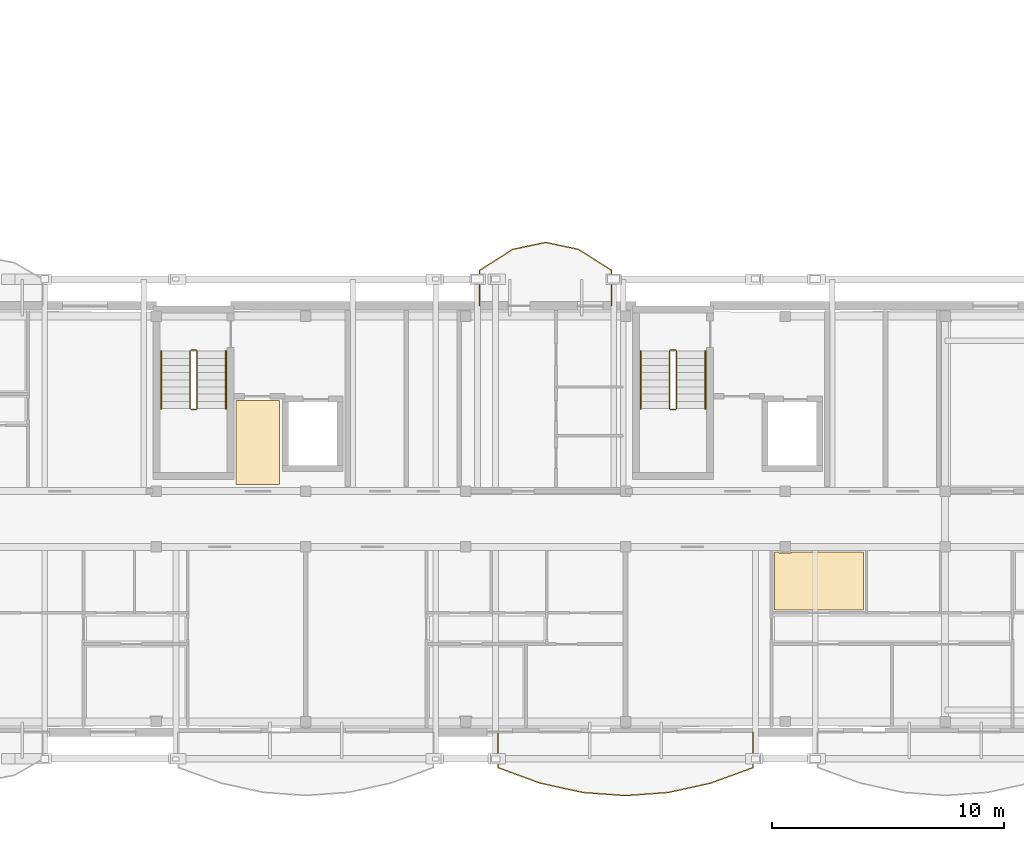
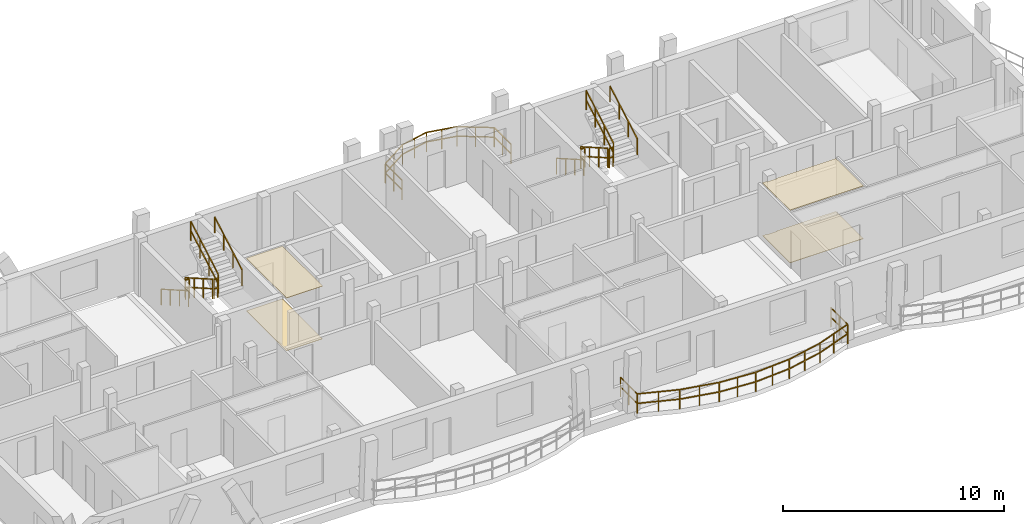
# One storey, part 47 of 52: 14 railings, 4 coverings.
"""IFC4 building model written with IfcOpenShell, lengths in metres."""

from ifc_helpers import new_model, si_unit, direction, frame, origin, origin_2d, place, context, subcontext, project, spatial, polyline, rectangle, outline, extrude, material, layer, layer_set, type_object, element, save


model = new_model("IFC4")

# Units and contexts
model_context = context("Model", 3, precision=1e-05, world=origin(), true_north=direction((0.0, 1.0)))
body_context = subcontext(model_context, "Body", "Model", "MODEL_VIEW")
ifc_project = project(units=[si_unit("LENGTHUNIT", "METRE"), si_unit("AREAUNIT", "SQUARE_METRE"), si_unit("VOLUMEUNIT", "CUBIC_METRE"), si_unit("PLANEANGLEUNIT", "RADIAN"), si_unit("MASSUNIT", "GRAM", prefix="KILO")], contexts=[model_context])

# Site, building, storey
site_placement = place(None, origin())
site = spatial("IfcSite", under=ifc_project, at=site_placement, CompositionType="ELEMENT")
building_placement = place(site_placement, origin())
building = spatial("IfcBuilding", under=site, at=building_placement, Name="Zavelmont Quarter", CompositionType="ELEMENT")
storey_placement = place(building_placement, frame((0.0, 0.0, 14.39990234375)))
storey = spatial("IfcBuildingStorey", under=building, at=storey_placement, Name="L04", CompositionType="ELEMENT", Elevation=14.39990234375)

# Coverings
ifc_material_1 = material(Name="Perforated acoustic gypsum board")
ifc_layer_1 = layer(ifc_material_1, 0.02490234375)
ifc_layer_set_1 = layer_set([ifc_layer_1], Name="Perforated acoustic gypsum board")
covering_type_1 = type_object("IfcCoveringType", Name="CV-CL01", PredefinedType="CEILING", material=ifc_layer_set_1)
covering_1_placement = place(storey_placement, frame((0.0, 0.0, 2.9150390625)))
element("IfcCovering", 1, at=covering_1_placement, inside=storey, type_object=covering_type_1, Name="L04 Lobby Vestibule acoustic ceiling", PredefinedType="CEILING", context=body_context, shape_type="SweptSolid", body=[
    extrude(outline(polyline([(130.47998046875, 14.320068359375), (132.3701171875, 14.320068359375), (132.3701171875, 10.679931640625), (130.47998046875, 10.679931640625), (130.47998046875, 14.320068359375)])), origin(), (0.0, 0.0, 1.0), 0.025146484375),
])
covering_2_placement = place(storey_placement, frame((0.0, 0.0, 2.9150390625)))
element("IfcCovering", 2, at=covering_2_placement, inside=storey, type_object=covering_type_1, Name="L04 Kitchen acoustic ceiling", PredefinedType="CEILING", context=body_context, shape_type="SweptSolid", body=[
    extrude(outline(polyline([(153.72998046875, 7.77001953125), (153.93505859375, 7.77001953125), (153.93505859375, 7.735107421875), (154.465087890625, 7.735107421875), (154.465087890625, 7.77001953125), (157.570068359375, 7.77001953125), (157.570068359375, 5.280029296875), (153.72998046875, 5.280029296875), (153.72998046875, 7.77001953125)])), origin(), (0.0, 0.0, 1.0), 0.025146484375),
])
ifc_material_2 = material(Name="Engineered European oak parquet")
ifc_layer_2 = layer(ifc_material_2, 0.02197265625)
ifc_layer_set_2 = layer_set([ifc_layer_2], Name="Engineered European oak parquet")
covering_type_2 = type_object("IfcCoveringType", Name="CV-FL01", PredefinedType="FLOORING", material=ifc_layer_set_2)
covering_3_placement = place(storey_placement, origin())
element("IfcCovering", 3, at=covering_3_placement, inside=storey, type_object=covering_type_2, Name="L04 Lobby Vestibule floor finish", PredefinedType="FLOORING", context=body_context, shape_type="SweptSolid", body=[
    extrude(outline(polyline([(130.47998046875, 14.320068359375), (132.3701171875, 14.320068359375), (132.3701171875, 10.679931640625), (130.47998046875, 10.679931640625), (130.47998046875, 14.320068359375)])), origin(), (0.0, 0.0, 1.0), 0.022216796875),
])
covering_4_placement = place(storey_placement, origin())
element("IfcCovering", 4, at=covering_4_placement, inside=storey, type_object=covering_type_2, Name="L04 Kitchen floor finish", PredefinedType="FLOORING", context=body_context, shape_type="SweptSolid", body=[
    extrude(outline(polyline([(153.72998046875, 7.77001953125), (153.93505859375, 7.77001953125), (153.93505859375, 7.735107421875), (154.465087890625, 7.735107421875), (154.465087890625, 7.77001953125), (157.570068359375, 7.77001953125), (157.570068359375, 5.280029296875), (153.72998046875, 5.280029296875), (153.72998046875, 7.77001953125)])), origin(), (0.0, 0.0, 1.0), 0.022216796875),
])

# Railings
ifc_material_3 = material(Name="Powder-coated steel and tempered double safety glass", Category="steel")
railing_type_1 = type_object("IfcRailingType", Name="RL-BAL1", PredefinedType="BALUSTRADE", material=ifc_material_3)
railing_1_placement = place(storey_placement, frame((141.791015625, -0.02001953125, 0.0)))
element("IfcRailing", 5, at=railing_1_placement, inside=storey, type_object=railing_type_1, Name="L04 Block D curved balcony guard RL-BAL1", PredefinedType="BALUSTRADE", context=body_context, shape_type="SweptSolid", body=[
    extrude(rectangle(XDim=0.048095703125, YDim=0.048095703125, at=origin_2d()), frame((0.0, 0.0, 1.076171875), z_axis=(0.0, -1.0, 0.0), x_axis=(1.0, 0.0, 0.0)), (0.0, 0.0, 1.0), 1.51708984375),
    extrude(rectangle(XDim=0.048095703125, YDim=0.048095703125, at=origin_2d()), frame((0.0, 0.0, 0.550048828125), z_axis=(0.0, -1.0, 0.0), x_axis=(1.0, 0.0, 0.0)), (0.0, 0.0, 1.0), 1.51708984375),
    extrude(rectangle(XDim=0.048095703125, YDim=0.048095703125, at=origin_2d()), frame((0.0, -1.51708984375, 1.076171875), z_axis=(0.939226985317, -0.343296766738, 0.0), x_axis=(0.343296766738, 0.939226985317, 0.0)), (0.0, 0.0, 1.0), 1.955078125),
    extrude(rectangle(XDim=0.048095703125, YDim=0.048095703125, at=origin_2d()), frame((0.0, -1.51708984375, 0.550048828125), z_axis=(0.939226985317, -0.343296766738, 0.0), x_axis=(0.343296766738, 0.939226985317, 0.0)), (0.0, 0.0, 1.0), 1.955078125),
    extrude(rectangle(XDim=0.048095703125, YDim=0.048095703125, at=origin_2d()), frame((1.836181640625, -2.188232421875, 1.076171875), z_axis=(0.976803339905, -0.214138355159, 0.0), x_axis=(0.214138355159, 0.976803339905, 0.0)), (0.0, 0.0, 1.0), 1.880126953125),
    extrude(rectangle(XDim=0.048095703125, YDim=0.048095703125, at=origin_2d()), frame((1.836181640625, -2.188232421875, 0.550048828125), z_axis=(0.976803339905, -0.214138355159, 0.0), x_axis=(0.214138355159, 0.976803339905, 0.0)), (0.0, 0.0, 1.0), 1.880126953125),
    extrude(rectangle(XDim=0.048095703125, YDim=0.048095703125, at=origin_2d()), frame((3.672607421875, -2.5908203125, 1.076171875), z_axis=(0.997337488116, -0.072924171559, 0.0), x_axis=(0.072924171559, 0.997337488116, 0.0)), (0.0, 0.0, 1.0), 1.84130859375),
    extrude(rectangle(XDim=0.048095703125, YDim=0.048095703125, at=origin_2d()), frame((3.672607421875, -2.5908203125, 0.550048828125), z_axis=(0.997337488116, -0.072924171559, 0.0), x_axis=(0.072924171559, 0.997337488116, 0.0)), (0.0, 0.0, 1.0), 1.84130859375),
    extrude(rectangle(XDim=0.048095703125, YDim=0.048095703125, at=origin_2d()), frame((5.509033203125, -2.72509765625, 1.076171875), z_axis=(0.997336782875, 0.072933816059, 0.0), x_axis=(-0.072933816059, 0.997336782875, 0.0)), (0.0, 0.0, 1.0), 1.841064453125),
    extrude(rectangle(XDim=0.048095703125, YDim=0.048095703125, at=origin_2d()), frame((5.509033203125, -2.72509765625, 0.550048828125), z_axis=(0.997336782875, 0.072933816059, 0.0), x_axis=(-0.072933816059, 0.997336782875, 0.0)), (0.0, 0.0, 1.0), 1.841064453125),
    extrude(rectangle(XDim=0.048095703125, YDim=0.048095703125, at=origin_2d()), frame((7.34521484375, -2.5908203125, 1.076171875), z_axis=(0.976803339905, 0.214138355159, 0.0), x_axis=(-0.214138355159, 0.976803339905, 0.0)), (0.0, 0.0, 1.0), 1.880126953125),
    extrude(rectangle(XDim=0.048095703125, YDim=0.048095703125, at=origin_2d()), frame((7.34521484375, -2.5908203125, 0.550048828125), z_axis=(0.976803339905, 0.214138355159, 0.0), x_axis=(-0.214138355159, 0.976803339905, 0.0)), (0.0, 0.0, 1.0), 1.880126953125),
    extrude(rectangle(XDim=0.048095703125, YDim=0.048095703125, at=origin_2d()), frame((9.181640625, -2.188232421875, 1.076171875), z_axis=(0.93924170024, 0.343256505445, 0.0), x_axis=(-0.343256505445, 0.93924170024, 0.0)), (0.0, 0.0, 1.0), 1.955322265625),
    extrude(rectangle(XDim=0.048095703125, YDim=0.048095703125, at=origin_2d()), frame((9.181640625, -2.188232421875, 0.550048828125), z_axis=(0.93924170024, 0.343256505445, 0.0), x_axis=(-0.343256505445, 0.93924170024, 0.0)), (0.0, 0.0, 1.0), 1.955322265625),
    extrude(rectangle(XDim=0.048095703125, YDim=0.048095703125, at=origin_2d()), frame((11.01806640625, -1.51708984375, 1.076171875), z_axis=(0.0, 1.0, 0.0), x_axis=(-1.0, 0.0, 0.0)), (0.0, 0.0, 1.0), 1.51708984375),
    extrude(rectangle(XDim=0.048095703125, YDim=0.048095703125, at=origin_2d()), frame((11.01806640625, -1.51708984375, 0.550048828125), z_axis=(0.0, 1.0, 0.0), x_axis=(-1.0, 0.0, 0.0)), (0.0, 0.0, 1.0), 1.51708984375),
    extrude(rectangle(XDim=0.0419921875, YDim=0.0419921875, at=origin_2d()), origin(), (0.0, 0.0, 1.0), 1.052001953125),
    extrude(rectangle(XDim=0.0419921875, YDim=0.0419921875, at=origin_2d()), frame((0.0, -0.758544921875, 0.0)), (0.0, 0.0, 1.0), 1.052001953125),
    extrude(rectangle(XDim=0.0419921875, YDim=0.0419921875, at=origin_2d()), frame((0.0, -1.51708984375, 0.0)), (0.0, 0.0, 1.0), 1.052001953125),
    extrude(rectangle(XDim=0.0419921875, YDim=0.0419921875, at=origin_2d()), frame((0.91796875, -1.8525390625, 0.0)), (0.0, 0.0, 1.0), 1.052001953125),
    extrude(rectangle(XDim=0.0419921875, YDim=0.0419921875, at=origin_2d()), frame((1.836181640625, -2.188232421875, 0.0)), (0.0, 0.0, 1.0), 1.052001953125),
    extrude(rectangle(XDim=0.0419921875, YDim=0.0419921875, at=origin_2d()), frame((2.75439453125, -2.3896484375, 0.0)), (0.0, 0.0, 1.0), 1.052001953125),
    extrude(rectangle(XDim=0.0419921875, YDim=0.0419921875, at=origin_2d()), frame((3.672607421875, -2.5908203125, 0.0)), (0.0, 0.0, 1.0), 1.052001953125),
    extrude(rectangle(XDim=0.0419921875, YDim=0.0419921875, at=origin_2d()), frame((4.5908203125, -2.657958984375, 0.0)), (0.0, 0.0, 1.0), 1.052001953125),
    extrude(rectangle(XDim=0.0419921875, YDim=0.0419921875, at=origin_2d()), frame((5.509033203125, -2.72509765625, 0.0)), (0.0, 0.0, 1.0), 1.052001953125),
    extrude(rectangle(XDim=0.0419921875, YDim=0.0419921875, at=origin_2d()), frame((6.42724609375, -2.657958984375, 0.0)), (0.0, 0.0, 1.0), 1.052001953125),
    extrude(rectangle(XDim=0.0419921875, YDim=0.0419921875, at=origin_2d()), frame((7.34521484375, -2.5908203125, 0.0)), (0.0, 0.0, 1.0), 1.052001953125),
    extrude(rectangle(XDim=0.0419921875, YDim=0.0419921875, at=origin_2d()), frame((8.263427734375, -2.3896484375, 0.0)), (0.0, 0.0, 1.0), 1.052001953125),
    extrude(rectangle(XDim=0.0419921875, YDim=0.0419921875, at=origin_2d()), frame((9.181640625, -2.188232421875, 0.0)), (0.0, 0.0, 1.0), 1.052001953125),
    extrude(rectangle(XDim=0.0419921875, YDim=0.0419921875, at=origin_2d()), frame((10.099853515625, -1.8525390625, 0.0)), (0.0, 0.0, 1.0), 1.052001953125),
    extrude(rectangle(XDim=0.0419921875, YDim=0.0419921875, at=origin_2d()), frame((11.01806640625, -1.51708984375, 0.0)), (0.0, 0.0, 1.0), 1.052001953125),
    extrude(rectangle(XDim=0.0419921875, YDim=0.0419921875, at=origin_2d()), frame((11.01806640625, -0.758544921875, 0.0)), (0.0, 0.0, 1.0), 1.052001953125),
    extrude(rectangle(XDim=0.0419921875, YDim=0.0419921875, at=origin_2d()), frame((11.01806640625, 0.0, 0.0)), (0.0, 0.0, 1.0), 1.052001953125),
])
railing_2_placement = place(storey_placement, frame((146.699951171875, 18.419921875, 0.0)))
element("IfcRailing", 6, at=railing_2_placement, inside=storey, type_object=railing_type_1, Name="L04 Block D curved balcony guard RL-BAL1", PredefinedType="BALUSTRADE", context=body_context, shape_type="SweptSolid", body=[
    extrude(rectangle(XDim=0.048095703125, YDim=0.048095703125, at=origin_2d()), frame((0.0, 0.0, 1.076171875), z_axis=(0.0, 1.0, 0.0), x_axis=(-1.0, 0.0, 0.0)), (0.0, 0.0, 1.0), 1.517333984375),
    extrude(rectangle(XDim=0.048095703125, YDim=0.048095703125, at=origin_2d()), frame((0.0, 0.0, 0.550048828125), z_axis=(0.0, 1.0, 0.0), x_axis=(-1.0, 0.0, 0.0)), (0.0, 0.0, 1.0), 1.517333984375),
    extrude(rectangle(XDim=0.048095703125, YDim=0.048095703125, at=origin_2d()), frame((0.0, 1.517333984375, 1.076171875), z_axis=(-0.843953088293, 0.536416987762, 0.0), x_axis=(-0.536416987762, -0.843953088293, 0.0)), (0.0, 0.0, 1.0), 1.6884765625),
    extrude(rectangle(XDim=0.048095703125, YDim=0.048095703125, at=origin_2d()), frame((0.0, 1.517333984375, 0.550048828125), z_axis=(-0.843953088293, 0.536416987762, 0.0), x_axis=(-0.536416987762, -0.843953088293, 0.0)), (0.0, 0.0, 1.0), 1.6884765625),
    extrude(rectangle(XDim=0.048095703125, YDim=0.048095703125, at=origin_2d()), frame((-1.425048828125, 2.423095703125, 1.076171875), z_axis=(-0.978266077354, 0.207353519138, 0.0), x_axis=(-0.207353519138, -0.978266077354, 0.0)), (0.0, 0.0, 1.0), 1.45654296875),
    extrude(rectangle(XDim=0.048095703125, YDim=0.048095703125, at=origin_2d()), frame((-1.425048828125, 2.423095703125, 0.550048828125), z_axis=(-0.978266077354, 0.207353519138, 0.0), x_axis=(-0.207353519138, -0.978266077354, 0.0)), (0.0, 0.0, 1.0), 1.45654296875),
    extrude(rectangle(XDim=0.048095703125, YDim=0.048095703125, at=origin_2d()), frame((-2.849853515625, 2.72509765625, 1.076171875), z_axis=(-0.978273282748, -0.207319522145, 0.0), x_axis=(0.207319522145, -0.978273282748, 0.0)), (0.0, 0.0, 1.0), 1.456787109375),
    extrude(rectangle(XDim=0.048095703125, YDim=0.048095703125, at=origin_2d()), frame((-2.849853515625, 2.72509765625, 0.550048828125), z_axis=(-0.978273282748, -0.207319522145, 0.0), x_axis=(0.207319522145, -0.978273282748, 0.0)), (0.0, 0.0, 1.0), 1.456787109375),
    extrude(rectangle(XDim=0.048095703125, YDim=0.048095703125, at=origin_2d()), frame((-4.27490234375, 2.423095703125, 1.076171875), z_axis=(-0.843953088293, -0.536416987762, 0.0), x_axis=(0.536416987762, -0.843953088293, 0.0)), (0.0, 0.0, 1.0), 1.6884765625),
    extrude(rectangle(XDim=0.048095703125, YDim=0.048095703125, at=origin_2d()), frame((-4.27490234375, 2.423095703125, 0.550048828125), z_axis=(-0.843953088293, -0.536416987762, 0.0), x_axis=(0.536416987762, -0.843953088293, 0.0)), (0.0, 0.0, 1.0), 1.6884765625),
    extrude(rectangle(XDim=0.048095703125, YDim=0.048095703125, at=origin_2d()), frame((-5.699951171875, 1.517333984375, 1.076171875), z_axis=(0.0, -1.0, 0.0), x_axis=(1.0, 0.0, 0.0)), (0.0, 0.0, 1.0), 1.517333984375),
    extrude(rectangle(XDim=0.048095703125, YDim=0.048095703125, at=origin_2d()), frame((-5.699951171875, 1.517333984375, 0.550048828125), z_axis=(0.0, -1.0, 0.0), x_axis=(1.0, 0.0, 0.0)), (0.0, 0.0, 1.0), 1.517333984375),
    extrude(rectangle(XDim=0.0419921875, YDim=0.0419921875, at=origin_2d()), origin(), (0.0, 0.0, 1.0), 1.052001953125),
    extrude(rectangle(XDim=0.0419921875, YDim=0.0419921875, at=origin_2d()), frame((0.0, 0.7587890625, 0.0)), (0.0, 0.0, 1.0), 1.052001953125),
    extrude(rectangle(XDim=0.0419921875, YDim=0.0419921875, at=origin_2d()), frame((0.0, 1.517333984375, 0.0)), (0.0, 0.0, 1.0), 1.052001953125),
    extrude(rectangle(XDim=0.0419921875, YDim=0.0419921875, at=origin_2d()), frame((-0.71240234375, 1.97021484375, 0.0)), (0.0, 0.0, 1.0), 1.052001953125),
    extrude(rectangle(XDim=0.0419921875, YDim=0.0419921875, at=origin_2d()), frame((-1.425048828125, 2.423095703125, 0.0)), (0.0, 0.0, 1.0), 1.052001953125),
    extrude(rectangle(XDim=0.0419921875, YDim=0.0419921875, at=origin_2d()), frame((-2.137451171875, 2.57421875, 0.0)), (0.0, 0.0, 1.0), 1.052001953125),
    extrude(rectangle(XDim=0.0419921875, YDim=0.0419921875, at=origin_2d()), frame((-2.849853515625, 2.72509765625, 0.0)), (0.0, 0.0, 1.0), 1.052001953125),
    extrude(rectangle(XDim=0.0419921875, YDim=0.0419921875, at=origin_2d()), frame((-3.5625, 2.57421875, 0.0)), (0.0, 0.0, 1.0), 1.052001953125),
    extrude(rectangle(XDim=0.0419921875, YDim=0.0419921875, at=origin_2d()), frame((-4.27490234375, 2.423095703125, 0.0)), (0.0, 0.0, 1.0), 1.052001953125),
    extrude(rectangle(XDim=0.0419921875, YDim=0.0419921875, at=origin_2d()), frame((-4.9873046875, 1.97021484375, 0.0)), (0.0, 0.0, 1.0), 1.052001953125),
    extrude(rectangle(XDim=0.0419921875, YDim=0.0419921875, at=origin_2d()), frame((-5.699951171875, 1.517333984375, 0.0)), (0.0, 0.0, 1.0), 1.052001953125),
    extrude(rectangle(XDim=0.0419921875, YDim=0.0419921875, at=origin_2d()), frame((-5.699951171875, 0.7587890625, 0.0)), (0.0, 0.0, 1.0), 1.052001953125),
    extrude(rectangle(XDim=0.0419921875, YDim=0.0419921875, at=origin_2d()), frame((-5.699951171875, 0.0, 0.0)), (0.0, 0.0, 1.0), 1.052001953125),
])
ifc_material_4 = material(Name="Powder-coated steel stair guardrail", Category="steel")
railing_type_2 = type_object("IfcRailingType", Name="RL-GRD1", PredefinedType="GUARDRAIL", material=ifc_material_4)
railing_3_placement = place(storey_placement, frame((128.5, 16.449951171875, 0.177978515625)))
element("IfcRailing", 7, at=railing_3_placement, inside=storey, type_object=railing_type_2, Name="L04 ST07 stair guardrail 1", PredefinedType="GUARDRAIL", context=body_context, shape_type="SweptSolid", body=[
    extrude(rectangle(XDim=0.048095703125, YDim=0.048095703125, at=origin_2d()), frame((0.0, 0.0, 1.076171875), z_axis=(0.0, -0.867490628297, 0.497453525283), x_axis=(1.0, 0.0, 0.0)), (0.0, 0.0, 1.0), 2.85888671875),
    extrude(rectangle(XDim=0.048095703125, YDim=0.048095703125, at=origin_2d()), frame((0.0, 0.0, 0.550048828125), z_axis=(0.0, -0.867490628297, 0.497453525283), x_axis=(1.0, 0.0, 0.0)), (0.0, 0.0, 1.0), 2.85888671875),
    extrude(rectangle(XDim=0.0419921875, YDim=0.0419921875, at=origin_2d()), origin(), (0.0, 0.0, 1.0), 1.052001953125),
    extrude(rectangle(XDim=0.0419921875, YDim=0.0419921875, at=origin_2d()), frame((0.0, -0.82666015625, 0.47412109375)), (0.0, 0.0, 1.0), 1.052001953125),
    extrude(rectangle(XDim=0.0419921875, YDim=0.0419921875, at=origin_2d()), frame((0.0, -1.6533203125, 0.947998046875)), (0.0, 0.0, 1.0), 1.052001953125),
    extrude(rectangle(XDim=0.0419921875, YDim=0.0419921875, at=origin_2d()), frame((0.0, -2.47998046875, 1.422119140625)), (0.0, 0.0, 1.0), 1.052001953125),
])
railing_4_placement = place(storey_placement, frame((128.550048828125, 13.919921875, 1.60009765625)))
element("IfcRailing", 8, at=railing_4_placement, inside=storey, type_object=railing_type_2, Name="L04 ST07 stair guardrail 2", PredefinedType="GUARDRAIL", context=body_context, shape_type="SweptSolid", body=[
    extrude(rectangle(XDim=0.048095703125, YDim=0.048095703125, at=origin_2d()), frame((0.0, 0.0, 1.076171875), z_axis=(1.0, 0.0, 0.0), x_axis=(0.0, 1.0, 0.0)), (0.0, 0.0, 1.0), 0.199951171875),
    extrude(rectangle(XDim=0.048095703125, YDim=0.048095703125, at=origin_2d()), frame((0.0, 0.0, 0.550048828125), z_axis=(1.0, 0.0, 0.0), x_axis=(0.0, 1.0, 0.0)), (0.0, 0.0, 1.0), 0.199951171875),
    extrude(rectangle(XDim=0.0419921875, YDim=0.0419921875, at=origin_2d()), origin(), (0.0, 0.0, 1.0), 1.052001953125),
    extrude(rectangle(XDim=0.0419921875, YDim=0.0419921875, at=origin_2d()), frame((0.199951171875, 0.0, 0.0)), (0.0, 0.0, 1.0), 1.052001953125),
])
railing_5_placement = place(storey_placement, frame((128.800048828125, 13.969970703125, 1.77783203125)))
element("IfcRailing", 9, at=railing_5_placement, inside=storey, type_object=railing_type_2, Name="L04 ST07 stair guardrail 3", PredefinedType="GUARDRAIL", context=body_context, shape_type="SweptSolid", body=[
    extrude(rectangle(XDim=0.048095703125, YDim=0.048095703125, at=origin_2d()), frame((0.0, 0.0, 1.076171875), z_axis=(0.0, 0.867453774394, 0.497517787913), x_axis=(-1.0, 0.0, 0.0)), (0.0, 0.0, 1.0), 2.85888671875),
    extrude(rectangle(XDim=0.048095703125, YDim=0.048095703125, at=origin_2d()), frame((0.0, 0.0, 0.550048828125), z_axis=(0.0, 0.867453774394, 0.497517787913), x_axis=(-1.0, 0.0, 0.0)), (0.0, 0.0, 1.0), 2.85888671875),
    extrude(rectangle(XDim=0.0419921875, YDim=0.0419921875, at=origin_2d()), origin(), (0.0, 0.0, 1.0), 1.052001953125),
    extrude(rectangle(XDim=0.0419921875, YDim=0.0419921875, at=origin_2d()), frame((0.0, 0.82666015625, 0.47412109375)), (0.0, 0.0, 1.0), 1.052001953125),
    extrude(rectangle(XDim=0.0419921875, YDim=0.0419921875, at=origin_2d()), frame((0.0, 1.6533203125, 0.9482421875)), (0.0, 0.0, 1.0), 1.052001953125),
    extrude(rectangle(XDim=0.0419921875, YDim=0.0419921875, at=origin_2d()), frame((0.0, 2.47998046875, 1.42236328125)), (0.0, 0.0, 1.0), 1.052001953125),
])
railing_6_placement = place(storey_placement, frame((128.550048828125, 16.5, 0.0)))
element("IfcRailing", 10, at=railing_6_placement, inside=storey, type_object=railing_type_2, Name="L04 ST07 stair guardrail 4", PredefinedType="GUARDRAIL", context=body_context, shape_type="SweptSolid", body=[
    extrude(rectangle(XDim=0.048095703125, YDim=0.048095703125, at=origin_2d()), frame((0.0, 0.0, 1.076171875), z_axis=(1.0, 0.0, 0.0), x_axis=(0.0, 1.0, 0.0)), (0.0, 0.0, 1.0), 0.199951171875),
    extrude(rectangle(XDim=0.048095703125, YDim=0.048095703125, at=origin_2d()), frame((0.0, 0.0, 0.550048828125), z_axis=(1.0, 0.0, 0.0), x_axis=(0.0, 1.0, 0.0)), (0.0, 0.0, 1.0), 0.199951171875),
    extrude(rectangle(XDim=0.0419921875, YDim=0.0419921875, at=origin_2d()), origin(), (0.0, 0.0, 1.0), 1.052001953125),
    extrude(rectangle(XDim=0.0419921875, YDim=0.0419921875, at=origin_2d()), frame((0.199951171875, 0.0, 0.0)), (0.0, 0.0, 1.0), 1.052001953125),
])
railing_7_placement = place(storey_placement, frame((149.199951171875, 16.449951171875, 0.177978515625)))
element("IfcRailing", 11, at=railing_7_placement, inside=storey, type_object=railing_type_2, Name="L04 ST08 stair guardrail 1", PredefinedType="GUARDRAIL", context=body_context, shape_type="SweptSolid", body=[
    extrude(rectangle(XDim=0.048095703125, YDim=0.048095703125, at=origin_2d()), frame((0.0, 0.0, 1.076171875), z_axis=(0.0, -0.867490628297, 0.497453525283), x_axis=(1.0, 0.0, 0.0)), (0.0, 0.0, 1.0), 2.85888671875),
    extrude(rectangle(XDim=0.048095703125, YDim=0.048095703125, at=origin_2d()), frame((0.0, 0.0, 0.550048828125), z_axis=(0.0, -0.867490628297, 0.497453525283), x_axis=(1.0, 0.0, 0.0)), (0.0, 0.0, 1.0), 2.85888671875),
    extrude(rectangle(XDim=0.0419921875, YDim=0.0419921875, at=origin_2d()), origin(), (0.0, 0.0, 1.0), 1.052001953125),
    extrude(rectangle(XDim=0.0419921875, YDim=0.0419921875, at=origin_2d()), frame((0.0, -0.82666015625, 0.47412109375)), (0.0, 0.0, 1.0), 1.052001953125),
    extrude(rectangle(XDim=0.0419921875, YDim=0.0419921875, at=origin_2d()), frame((0.0, -1.6533203125, 0.947998046875)), (0.0, 0.0, 1.0), 1.052001953125),
    extrude(rectangle(XDim=0.0419921875, YDim=0.0419921875, at=origin_2d()), frame((0.0, -2.47998046875, 1.422119140625)), (0.0, 0.0, 1.0), 1.052001953125),
])
railing_8_placement = place(storey_placement, frame((149.25, 13.919921875, 1.60009765625)))
element("IfcRailing", 12, at=railing_8_placement, inside=storey, type_object=railing_type_2, Name="L04 ST08 stair guardrail 2", PredefinedType="GUARDRAIL", context=body_context, shape_type="SweptSolid", body=[
    extrude(rectangle(XDim=0.048095703125, YDim=0.048095703125, at=origin_2d()), frame((0.0, 0.0, 1.076171875), z_axis=(1.0, 0.0, 0.0), x_axis=(0.0, 1.0, 0.0)), (0.0, 0.0, 1.0), 0.199951171875),
    extrude(rectangle(XDim=0.048095703125, YDim=0.048095703125, at=origin_2d()), frame((0.0, 0.0, 0.550048828125), z_axis=(1.0, 0.0, 0.0), x_axis=(0.0, 1.0, 0.0)), (0.0, 0.0, 1.0), 0.199951171875),
    extrude(rectangle(XDim=0.0419921875, YDim=0.0419921875, at=origin_2d()), origin(), (0.0, 0.0, 1.0), 1.052001953125),
    extrude(rectangle(XDim=0.0419921875, YDim=0.0419921875, at=origin_2d()), frame((0.199951171875, 0.0, 0.0)), (0.0, 0.0, 1.0), 1.052001953125),
])
railing_9_placement = place(storey_placement, frame((149.5, 13.969970703125, 1.77783203125)))
element("IfcRailing", 13, at=railing_9_placement, inside=storey, type_object=railing_type_2, Name="L04 ST08 stair guardrail 3", PredefinedType="GUARDRAIL", context=body_context, shape_type="SweptSolid", body=[
    extrude(rectangle(XDim=0.048095703125, YDim=0.048095703125, at=origin_2d()), frame((0.0, 0.0, 1.076171875), z_axis=(0.0, 0.867453774394, 0.497517787913), x_axis=(-1.0, 0.0, 0.0)), (0.0, 0.0, 1.0), 2.85888671875),
    extrude(rectangle(XDim=0.048095703125, YDim=0.048095703125, at=origin_2d()), frame((0.0, 0.0, 0.550048828125), z_axis=(0.0, 0.867453774394, 0.497517787913), x_axis=(-1.0, 0.0, 0.0)), (0.0, 0.0, 1.0), 2.85888671875),
    extrude(rectangle(XDim=0.0419921875, YDim=0.0419921875, at=origin_2d()), origin(), (0.0, 0.0, 1.0), 1.052001953125),
    extrude(rectangle(XDim=0.0419921875, YDim=0.0419921875, at=origin_2d()), frame((0.0, 0.82666015625, 0.47412109375)), (0.0, 0.0, 1.0), 1.052001953125),
    extrude(rectangle(XDim=0.0419921875, YDim=0.0419921875, at=origin_2d()), frame((0.0, 1.6533203125, 0.9482421875)), (0.0, 0.0, 1.0), 1.052001953125),
    extrude(rectangle(XDim=0.0419921875, YDim=0.0419921875, at=origin_2d()), frame((0.0, 2.47998046875, 1.42236328125)), (0.0, 0.0, 1.0), 1.052001953125),
])
railing_10_placement = place(storey_placement, frame((149.25, 16.5, 0.0)))
element("IfcRailing", 14, at=railing_10_placement, inside=storey, type_object=railing_type_2, Name="L04 ST08 stair guardrail 4", PredefinedType="GUARDRAIL", context=body_context, shape_type="SweptSolid", body=[
    extrude(rectangle(XDim=0.048095703125, YDim=0.048095703125, at=origin_2d()), frame((0.0, 0.0, 1.076171875), z_axis=(1.0, 0.0, 0.0), x_axis=(0.0, 1.0, 0.0)), (0.0, 0.0, 1.0), 0.199951171875),
    extrude(rectangle(XDim=0.048095703125, YDim=0.048095703125, at=origin_2d()), frame((0.0, 0.0, 0.550048828125), z_axis=(1.0, 0.0, 0.0), x_axis=(0.0, 1.0, 0.0)), (0.0, 0.0, 1.0), 0.199951171875),
    extrude(rectangle(XDim=0.0419921875, YDim=0.0419921875, at=origin_2d()), origin(), (0.0, 0.0, 1.0), 1.052001953125),
    extrude(rectangle(XDim=0.0419921875, YDim=0.0419921875, at=origin_2d()), frame((0.199951171875, 0.0, 0.0)), (0.0, 0.0, 1.0), 1.052001953125),
])
ifc_material_5 = material(Name="Brushed stainless-steel wall handrail", Category="steel")
railing_type_3 = type_object("IfcRailingType", Name="RL-HND1", PredefinedType="HANDRAIL", material=ifc_material_5)
railing_11_placement = place(storey_placement, frame((127.25, 16.449951171875, 0.177978515625)))
element("IfcRailing", 15, at=railing_11_placement, inside=storey, type_object=railing_type_3, Name="L04 ST07 stair handrail 1", PredefinedType="HANDRAIL", context=body_context, shape_type="SweptSolid", body=[
    extrude(rectangle(XDim=0.048095703125, YDim=0.048095703125, at=origin_2d()), frame((0.0, 0.0, 0.8759765625), z_axis=(0.0, -0.867490628297, 0.497453525283), x_axis=(1.0, 0.0, 0.0)), (0.0, 0.0, 1.0), 2.85888671875),
    extrude(rectangle(XDim=0.0419921875, YDim=0.0419921875, at=origin_2d()), origin(), (0.0, 0.0, 1.0), 0.851806640625),
    extrude(rectangle(XDim=0.0419921875, YDim=0.0419921875, at=origin_2d()), frame((0.0, -0.82666015625, 0.47412109375)), (0.0, 0.0, 1.0), 0.851806640625),
    extrude(rectangle(XDim=0.0419921875, YDim=0.0419921875, at=origin_2d()), frame((0.0, -1.6533203125, 0.947998046875)), (0.0, 0.0, 1.0), 0.851806640625),
    extrude(rectangle(XDim=0.0419921875, YDim=0.0419921875, at=origin_2d()), frame((0.0, -2.47998046875, 1.422119140625)), (0.0, 0.0, 1.0), 0.851806640625),
])
railing_12_placement = place(storey_placement, frame((130.050048828125, 13.969970703125, 1.77783203125)))
element("IfcRailing", 16, at=railing_12_placement, inside=storey, type_object=railing_type_3, Name="L04 ST07 stair handrail 2", PredefinedType="HANDRAIL", context=body_context, shape_type="SweptSolid", body=[
    extrude(rectangle(XDim=0.048095703125, YDim=0.048095703125, at=origin_2d()), frame((0.0, 0.0, 0.8759765625), z_axis=(0.0, 0.867453774394, 0.497517787913), x_axis=(-1.0, 0.0, 0.0)), (0.0, 0.0, 1.0), 2.85888671875),
    extrude(rectangle(XDim=0.0419921875, YDim=0.0419921875, at=origin_2d()), origin(), (0.0, 0.0, 1.0), 0.851806640625),
    extrude(rectangle(XDim=0.0419921875, YDim=0.0419921875, at=origin_2d()), frame((0.0, 0.82666015625, 0.47412109375)), (0.0, 0.0, 1.0), 0.851806640625),
    extrude(rectangle(XDim=0.0419921875, YDim=0.0419921875, at=origin_2d()), frame((0.0, 1.6533203125, 0.9482421875)), (0.0, 0.0, 1.0), 0.851806640625),
    extrude(rectangle(XDim=0.0419921875, YDim=0.0419921875, at=origin_2d()), frame((0.0, 2.47998046875, 1.42236328125)), (0.0, 0.0, 1.0), 0.851806640625),
])
railing_13_placement = place(storey_placement, frame((147.949951171875, 16.449951171875, 0.177978515625)))
element("IfcRailing", 17, at=railing_13_placement, inside=storey, type_object=railing_type_3, Name="L04 ST08 stair handrail 1", PredefinedType="HANDRAIL", context=body_context, shape_type="SweptSolid", body=[
    extrude(rectangle(XDim=0.048095703125, YDim=0.048095703125, at=origin_2d()), frame((0.0, 0.0, 0.8759765625), z_axis=(0.0, -0.867490628297, 0.497453525283), x_axis=(1.0, 0.0, 0.0)), (0.0, 0.0, 1.0), 2.85888671875),
    extrude(rectangle(XDim=0.0419921875, YDim=0.0419921875, at=origin_2d()), origin(), (0.0, 0.0, 1.0), 0.851806640625),
    extrude(rectangle(XDim=0.0419921875, YDim=0.0419921875, at=origin_2d()), frame((0.0, -0.82666015625, 0.47412109375)), (0.0, 0.0, 1.0), 0.851806640625),
    extrude(rectangle(XDim=0.0419921875, YDim=0.0419921875, at=origin_2d()), frame((0.0, -1.6533203125, 0.947998046875)), (0.0, 0.0, 1.0), 0.851806640625),
    extrude(rectangle(XDim=0.0419921875, YDim=0.0419921875, at=origin_2d()), frame((0.0, -2.47998046875, 1.422119140625)), (0.0, 0.0, 1.0), 0.851806640625),
])
railing_14_placement = place(storey_placement, frame((150.75, 13.969970703125, 1.77783203125)))
element("IfcRailing", 18, at=railing_14_placement, inside=storey, type_object=railing_type_3, Name="L04 ST08 stair handrail 2", PredefinedType="HANDRAIL", context=body_context, shape_type="SweptSolid", body=[
    extrude(rectangle(XDim=0.048095703125, YDim=0.048095703125, at=origin_2d()), frame((0.0, 0.0, 0.8759765625), z_axis=(0.0, 0.867453774394, 0.497517787913), x_axis=(-1.0, 0.0, 0.0)), (0.0, 0.0, 1.0), 2.85888671875),
    extrude(rectangle(XDim=0.0419921875, YDim=0.0419921875, at=origin_2d()), origin(), (0.0, 0.0, 1.0), 0.851806640625),
    extrude(rectangle(XDim=0.0419921875, YDim=0.0419921875, at=origin_2d()), frame((0.0, 0.82666015625, 0.47412109375)), (0.0, 0.0, 1.0), 0.851806640625),
    extrude(rectangle(XDim=0.0419921875, YDim=0.0419921875, at=origin_2d()), frame((0.0, 1.6533203125, 0.9482421875)), (0.0, 0.0, 1.0), 0.851806640625),
    extrude(rectangle(XDim=0.0419921875, YDim=0.0419921875, at=origin_2d()), frame((0.0, 2.47998046875, 1.42236328125)), (0.0, 0.0, 1.0), 0.851806640625),
])

save(model, "model.ifc")
